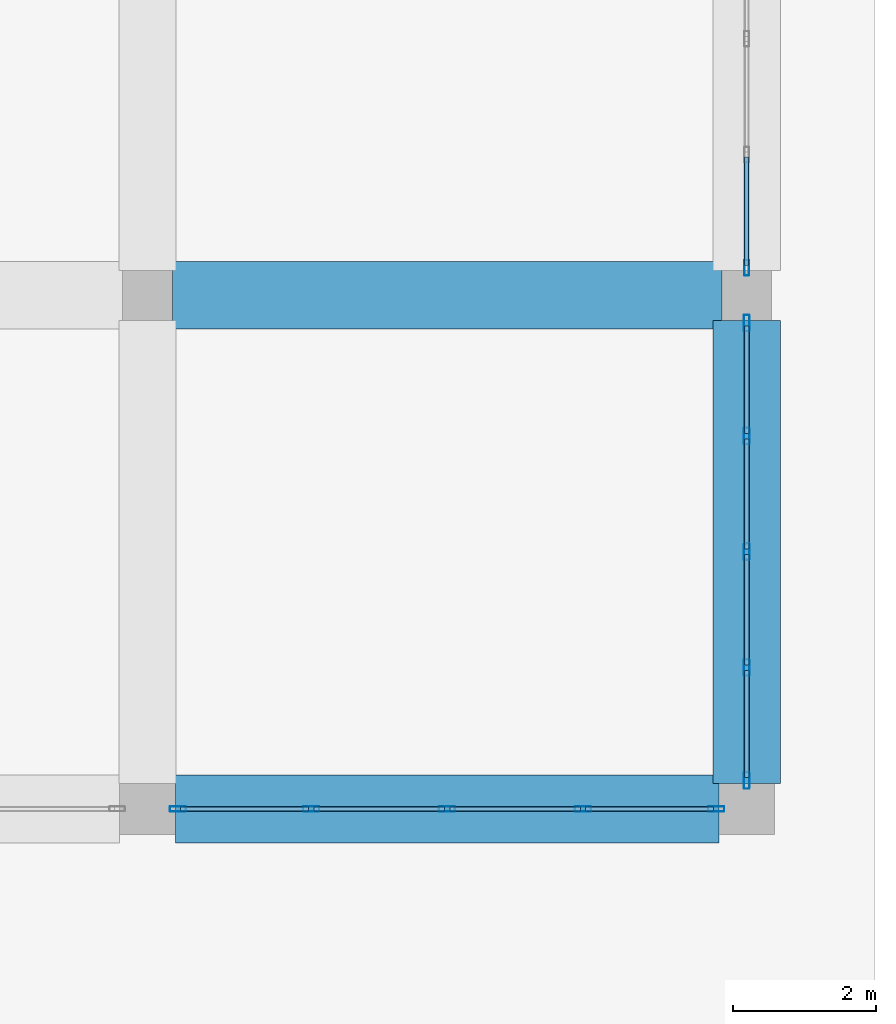
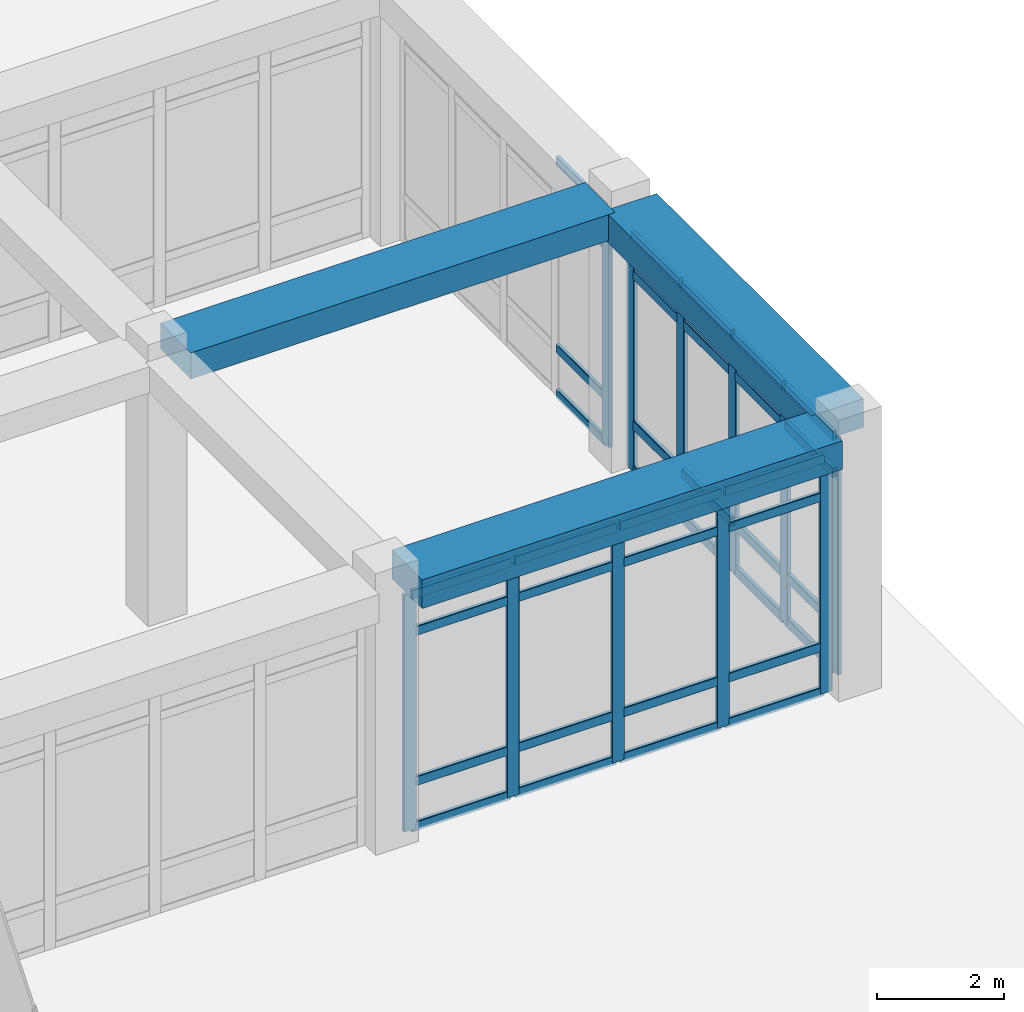
# One storey, part 49 of 84: 47 members, 3 beams, 3 elements without a shape of their own.
"""IFC4 building model written with IfcOpenShell, lengths in metres."""

import ifcopenshell
import ifcopenshell.guid

model = None  # the IFC model being written
_history = None  # IfcOwnerHistory: only IFC2X3 demands one
_inside = {}  # id of a spatial element -> (the spatial element, [elements in it])
_under = {}  # id of a project, library or spatial element -> (it, [spatial elements below it])
_declared = {}  # id of a project -> (the project, [libraries it declares])
_typed = {}  # id of a type object -> (the type object, [elements of that type])
_made_of = {}  # id of a material, layer set ... -> (it, [elements and type objects made of it])


def new_model(schema):
    """Start an empty IFC model of exactly this schema.

    Asked for "IFC4X3", IfcOpenShell would pick the latest addendum, in which some entities
    have other attributes; the version numbers below select the first issue.
    IFC2X3 requires an IfcOwnerHistory on every rooted entity: one is made here for all.
    """
    global model, _history
    if schema == "IFC4X3":
        model = ifcopenshell.file(schema_version=(4, 3, 0, 0))
    else:
        model = ifcopenshell.file(schema=schema)
    _inside.clear()
    _under.clear()
    _declared.clear()
    _typed.clear()
    _made_of.clear()
    _history = None
    if model.schema == "IFC2X3":
        org = make("IfcOrganization", Name="unknown")
        user = make(
            "IfcPersonAndOrganization",
            ThePerson=make("IfcPerson", FamilyName="unknown"),
            TheOrganization=org,
        )
        app = make(
            "IfcApplication",
            ApplicationDeveloper=org,
            Version="unknown",
            ApplicationFullName="unknown",
            ApplicationIdentifier="unknown",
        )
        _history = make(
            "IfcOwnerHistory",
            OwningUser=user,
            OwningApplication=app,
            ChangeAction="ADDED",
            CreationDate=0,
        )
    return model


def make(cls, **values):
    """One entity of the class cls with the attributes given. An attribute that is None is left unset."""
    return model.create_entity(
        cls, **{name: value for name, value in values.items() if value is not None}
    )


def rooted(cls, **values):
    """An entity with a GlobalId (a new one), such as an element, a storey or a relation."""
    return make(cls, GlobalId=ifcopenshell.guid.new(), OwnerHistory=_history, **values)


def si_unit(unit_type, name, prefix=None):
    """IfcSIUnit, for example si_unit("LENGTHUNIT", "METRE", prefix="MILLI")."""
    return make("IfcSIUnit", UnitType=unit_type, Prefix=prefix, Name=name)


def derived_unit(unit_type, elements):
    """IfcDerivedUnit: a product of units, each with its exponent."""
    return make(
        "IfcDerivedUnit",
        Elements=[
            make("IfcDerivedUnitElement", Unit=unit, Exponent=power)
            for unit, power in elements
        ],
        UnitType=unit_type,
    )


def assignment(units):
    """IfcUnitAssignment: the units of a project."""
    return None if units is None else make("IfcUnitAssignment", Units=units)


def point(xyz):
    """IfcCartesianPoint."""
    return None if xyz is None else make("IfcCartesianPoint", Coordinates=xyz)


def direction(xyz):
    """IfcDirection."""
    return None if xyz is None else make("IfcDirection", DirectionRatios=xyz)


def frame(location, z_axis=None, x_axis=None):
    """IfcAxis2Placement3D, a coordinate frame: its origin and axes. An axis left out is left unset."""
    return make(
        "IfcAxis2Placement3D",
        Location=point(location),
        Axis=direction(z_axis),
        RefDirection=direction(x_axis),
    )


def frame_2d(location, x_axis=None):
    """IfcAxis2Placement2D, a coordinate frame in the plane: its origin and x axis."""
    return make(
        "IfcAxis2Placement2D", Location=point(location), RefDirection=direction(x_axis)
    )


def origin():
    """The frame at (0, 0, 0) with its axes left unset."""
    return frame((0.0, 0.0, 0.0))


def origin_2d():
    """The frame at (0, 0) in the plane with its x axis left unset."""
    return frame_2d((0.0, 0.0))


def place(relative_to, where):
    """IfcLocalPlacement: puts the frame where relative to a parent placement (None: the world)."""
    return make(
        "IfcLocalPlacement", PlacementRelTo=relative_to, RelativePlacement=where
    )


def context(
    kind, dimensions, precision=None, world=None, true_north=None, identifier=None
):
    """IfcGeometricRepresentationContext, for example the 3D "Model" context."""
    return make(
        "IfcGeometricRepresentationContext",
        ContextIdentifier=identifier,
        ContextType=kind,
        CoordinateSpaceDimension=dimensions,
        Precision=precision,
        WorldCoordinateSystem=world,
        TrueNorth=true_north,
    )


def subcontext(parent, identifier, kind, view, scale=None):
    """IfcGeometricRepresentationSubContext, for example "Body" below "Model"."""
    return make(
        "IfcGeometricRepresentationSubContext",
        ContextIdentifier=identifier,
        ContextType=kind,
        ParentContext=parent,
        TargetScale=scale,
        TargetView=view,
    )


def project(units=None, contexts=None):
    """IfcProject with its units and contexts."""
    return rooted(
        "IfcProject",
        Name="project",
        RepresentationContexts=contexts,
        UnitsInContext=assignment(units),
    )


def spatial(cls, under=None, at=None, **own):
    """A site, building, storey or space (cls), placed at a placement, below another one or the project."""
    s = rooted(cls, ObjectPlacement=at, **own)
    if under is not None:
        _under.setdefault(under.id(), (under, []))[1].append(s)
    return s


def profile(cls, at=None, kind="AREA", **sizes):
    """A parametric profile (cls). Its sizes go by their IFC names, for example OverallWidth=200.0."""
    return make(cls, ProfileType=kind, Position=at, **sizes)


def rectangle(**sizes):
    """IfcRectangleProfileDef."""
    return profile("IfcRectangleProfileDef", **sizes)


def hollow_rectangle(**sizes):
    """IfcRectangleHollowProfileDef."""
    return profile("IfcRectangleHollowProfileDef", **sizes)


def extrude(swept, where, along, depth):
    """IfcExtrudedAreaSolid: the profile swept, set in the frame where, extruded along a direction by depth."""
    return make(
        "IfcExtrudedAreaSolid",
        SweptArea=swept,
        Position=where,
        ExtrudedDirection=direction(along),
        Depth=depth,
    )


def shape(context_of_items, identifier, shape_type, items):
    """IfcShapeRepresentation: the items that make up one representation, for example the "Body"."""
    return make(
        "IfcShapeRepresentation",
        ContextOfItems=context_of_items,
        RepresentationIdentifier=identifier,
        RepresentationType=shape_type,
        Items=items,
    )


def material(Name=None, Category=None):
    """IfcMaterial."""
    return make("IfcMaterial", Name=Name, Category=Category)


def material_profile(
    of_material, cross_section, Name=None, Category=None, Priority=None
):
    """IfcMaterialProfile: a cross section and its material."""
    return make(
        "IfcMaterialProfile",
        Name=Name,
        Material=of_material,
        Profile=cross_section,
        Priority=Priority,
        Category=Category,
    )


def profile_set(profiles, Name=None, composite=None):
    """IfcMaterialProfileSet."""
    return make(
        "IfcMaterialProfileSet",
        Name=Name,
        MaterialProfiles=profiles,
        CompositeProfile=composite,
    )


def made_of(thing, what):
    """Note that an element or type object is made of a material, layer set ...; save() writes the relation."""
    if what is not None:
        _made_of.setdefault(what.id(), (what, []))[1].append(thing)
    return thing


def type_object(cls, material=None, **own):
    """A type object (cls), such as IfcWallType, which elements share."""
    return made_of(rooted(cls, **own), material)


def element(
    cls,
    number,
    at=None,
    inside=None,
    cuts=None,
    type_object=None,
    material=None,
    context=None,
    identifier="Body",
    shape_type=None,
    held_by="IfcProductDefinitionShape",
    body=None,
    shapes=None,
    **own,
):
    """One element of the class cls, such as IfcWall. Its Tag is "e" and its number.

    at: its placement. inside: the storey or other place that contains it. cuts: it is an
    opening in that element (IfcRelVoidsElement). A single representation is given by context,
    identifier, shape_type and body (its items); several are given by shapes. held_by: the class
    of the entity that holds the representations. save() writes the other relations.
    """
    e = rooted(cls, Tag="e%d" % number, ObjectPlacement=at, **own)
    if body is not None:
        shapes = [shape(context, identifier, shape_type, body)]
    if shapes is not None:
        e.Representation = make(held_by, Representations=shapes)
    if inside is not None:
        _inside.setdefault(inside.id(), (inside, []))[1].append(e)
    if cuts is not None:
        rooted(
            "IfcRelVoidsElement", RelatingBuildingElement=cuts, RelatedOpeningElement=e
        )
    if type_object is not None:
        _typed.setdefault(type_object.id(), (type_object, []))[1].append(e)
    return made_of(e, material)


def aggregate(whole, parts):
    """IfcRelAggregates: a whole, such as a stair, and the parts it consists of."""
    return rooted("IfcRelAggregates", RelatingObject=whole, RelatedObjects=parts)


def save(model, path):
    """Write the relations noted so far, then the file.

    IfcRelAggregates (storeys below a building ...), IfcRelContainedInSpatialStructure (elements
    in a storey), IfcRelDefinesByType, IfcRelAssociatesMaterial and IfcRelDeclares: one each for
    every whole, place, type object, material and project.
    """
    for whole, parts in _under.values():
        aggregate(whole, parts)
    for where, things in _inside.values():
        rooted(
            "IfcRelContainedInSpatialStructure",
            RelatedElements=things,
            RelatingStructure=where,
        )
    for kind, things in _typed.values():
        rooted("IfcRelDefinesByType", RelatedObjects=things, RelatingType=kind)
    for what, things in _made_of.values():
        rooted("IfcRelAssociatesMaterial", RelatedObjects=things, RelatingMaterial=what)
    for by, libraries in _declared.values():
        rooted("IfcRelDeclares", RelatingContext=by, RelatedDefinitions=libraries)
    model.write(path)


model = new_model("IFC4")

# Units and contexts
model_context = context("Model", 3, precision=1e-05, world=origin(), true_north=direction((0.0, 1.0)))
body_context = subcontext(model_context, "Body", "Model", "MODEL_VIEW")
ifc_project = project(units=[si_unit("LENGTHUNIT", "METRE"), si_unit("AREAUNIT", "SQUARE_METRE"), si_unit("VOLUMEUNIT", "CUBIC_METRE"), si_unit("PLANEANGLEUNIT", "RADIAN"), si_unit("MASSUNIT", "GRAM", prefix="KILO"), derived_unit("THERMALTRANSMITTANCEUNIT", [(si_unit("POWERUNIT", "WATT"), 1), (si_unit("LENGTHUNIT", "METRE"), -2), (si_unit("THERMODYNAMICTEMPERATUREUNIT", "KELVIN"), -1)])], contexts=[model_context])

# Site, building, storey
site_placement = place(None, origin())
site = spatial("IfcSite", under=ifc_project, at=site_placement, CompositionType="ELEMENT")
building_placement = place(site_placement, origin())
building = spatial("IfcBuilding", under=site, at=building_placement, Name="Veybourne Emporium", CompositionType="ELEMENT")
storey_placement = place(building_placement, origin())
storey = spatial("IfcBuildingStorey", under=building, at=storey_placement, Name="L00", CompositionType="ELEMENT", Elevation=0.0)

# Curtain wall, members
ifc_material_1 = material(Name="Patinated Architectural Bronze", Category="bronze")
curtain_wall_type_1 = type_object("IfcCurtainWallType", Name="CWSystem_CWS-22", PredefinedType="NOTDEFINED", material=ifc_material_1)
curtain_wall_1_placement = place(storey_placement, origin())
curtain_wall_1 = element("IfcCurtainWall", 1, at=curtain_wall_1_placement, inside=storey, type_object=curtain_wall_type_1, Name="L00 bronze glazed curtain wall CWS-22 (075)", PredefinedType="NOTDEFINED")
ifc_material_profile_1 = material_profile(ifc_material_1, hollow_rectangle(XDim=0.074951171875, YDim=0.22998046875, WallThickness=0.0048828125, InnerFilletRadius=0.007568359375, OuterFilletRadius=0.012451171875, at=origin_2d()), Name="CWM 75x230x5")
ifc_profile_set_1 = profile_set([ifc_material_profile_1], Name="Patinated Architectural Bronze")
member_type_1 = type_object("IfcMemberType", Name="CWMullion_CW-M2", PredefinedType="MULLION", material=ifc_profile_set_1)
member_1_placement = place(storey_placement, frame((167.572509765625, 7.199951171875, 0.0), z_axis=(0.0, 0.0, 1.0), x_axis=(0.0, -1.0, 0.0)))
member_1 = element("IfcMember", 2, at=member_1_placement, type_object=member_type_1, Name="CWS-22 mullion 1", PredefinedType="MULLION", context=body_context, shape_type="SweptSolid", body=[
    extrude(hollow_rectangle(XDim=0.074951171875, YDim=0.22998046875, WallThickness=0.0048828125, InnerFilletRadius=0.007568359375, OuterFilletRadius=0.012451171875, at=origin_2d()), origin(), (0.0, 0.0, 1.0), 4.530029296875),
])
member_2_placement = place(storey_placement, frame((165.705078125, 7.199951171875, 0.0), z_axis=(0.0, 0.0, 1.0), x_axis=(0.0, -1.0, 0.0)))
member_2 = element("IfcMember", 3, at=member_2_placement, type_object=member_type_1, Name="CWS-22 mullion 2", PredefinedType="MULLION", context=body_context, shape_type="SweptSolid", body=[
    extrude(hollow_rectangle(XDim=0.074951171875, YDim=0.22998046875, WallThickness=0.0048828125, InnerFilletRadius=0.007568359375, OuterFilletRadius=0.012451171875, at=origin_2d()), origin(), (0.0, 0.0, 1.0), 4.530029296875),
])
member_3_placement = place(storey_placement, frame((163.800048828125, 7.199951171875, 0.0), z_axis=(0.0, 0.0, 1.0), x_axis=(0.0, -1.0, 0.0)))
member_3 = element("IfcMember", 4, at=member_3_placement, type_object=member_type_1, Name="CWS-22 mullion 3", PredefinedType="MULLION", context=body_context, shape_type="SweptSolid", body=[
    extrude(hollow_rectangle(XDim=0.074951171875, YDim=0.22998046875, WallThickness=0.0048828125, InnerFilletRadius=0.007568359375, OuterFilletRadius=0.012451171875, at=origin_2d()), origin(), (0.0, 0.0, 1.0), 4.530029296875),
])
member_4_placement = place(storey_placement, frame((161.89501953125, 7.199951171875, 0.0), z_axis=(0.0, 0.0, 1.0), x_axis=(0.0, -1.0, 0.0)))
member_4 = element("IfcMember", 5, at=member_4_placement, type_object=member_type_1, Name="CWS-22 mullion 4", PredefinedType="MULLION", context=body_context, shape_type="SweptSolid", body=[
    extrude(hollow_rectangle(XDim=0.074951171875, YDim=0.22998046875, WallThickness=0.0048828125, InnerFilletRadius=0.007568359375, OuterFilletRadius=0.012451171875, at=origin_2d()), origin(), (0.0, 0.0, 1.0), 4.530029296875),
])
member_5_placement = place(storey_placement, frame((160.027587890625, 7.199951171875, 0.0), z_axis=(0.0, 0.0, 1.0), x_axis=(0.0, -1.0, 0.0)))
member_5 = element("IfcMember", 6, at=member_5_placement, type_object=member_type_1, Name="CWS-22 mullion 5", PredefinedType="MULLION", context=body_context, shape_type="SweptSolid", body=[
    extrude(hollow_rectangle(XDim=0.074951171875, YDim=0.22998046875, WallThickness=0.0048828125, InnerFilletRadius=0.007568359375, OuterFilletRadius=0.012451171875, at=origin_2d()), origin(), (0.0, 0.0, 1.0), 4.530029296875),
])

curtain_wall_type_2 = type_object("IfcCurtainWallType", Name="CWSystem_CWS-23", PredefinedType="NOTDEFINED", material=ifc_material_1)
curtain_wall_2_placement = place(storey_placement, origin())
curtain_wall_2 = element("IfcCurtainWall", 7, at=curtain_wall_2_placement, inside=storey, type_object=curtain_wall_type_2, Name="L00 bronze glazed curtain wall CWS-23 (076)", PredefinedType="NOTDEFINED")
ifc_material_profile_2 = material_profile(ifc_material_1, hollow_rectangle(XDim=0.077880859375, YDim=0.235107421875, WallThickness=0.0048828125, InnerFilletRadius=0.007568359375, OuterFilletRadius=0.012451171875, at=origin_2d()), Name="CWM 78x235x5")
ifc_profile_set_2 = profile_set([ifc_material_profile_2], Name="Patinated Architectural Bronze")
member_type_2 = type_object("IfcMemberType", Name="CWMullion_CW-M3", PredefinedType="MULLION", material=ifc_profile_set_2)
member_6_placement = place(storey_placement, frame((168.0, 14.010986328125, 0.0), z_axis=(0.0, 0.0, 1.0), x_axis=(1.0, 0.0, 0.0)))
member_6 = element("IfcMember", 8, at=member_6_placement, type_object=member_type_2, Name="CWS-23 mullion 1", PredefinedType="MULLION", context=body_context, shape_type="SweptSolid", body=[
    extrude(hollow_rectangle(XDim=0.077880859375, YDim=0.235107421875, WallThickness=0.0048828125, InnerFilletRadius=0.007568359375, OuterFilletRadius=0.012451171875, at=origin_2d()), origin(), (0.0, 0.0, 1.0), 4.530029296875),
])
member_7_placement = place(storey_placement, frame((168.0, 12.427490234375, 0.0), z_axis=(0.0, 0.0, 1.0), x_axis=(1.0, 0.0, 0.0)))
member_7 = element("IfcMember", 9, at=member_7_placement, type_object=member_type_2, Name="CWS-23 mullion 2", PredefinedType="MULLION", context=body_context, shape_type="SweptSolid", body=[
    extrude(hollow_rectangle(XDim=0.077880859375, YDim=0.235107421875, WallThickness=0.0048828125, InnerFilletRadius=0.007568359375, OuterFilletRadius=0.012451171875, at=origin_2d()), origin(), (0.0, 0.0, 1.0), 4.530029296875),
])
member_8_placement = place(storey_placement, frame((168.0, 10.804931640625, 0.0), z_axis=(0.0, 0.0, 1.0), x_axis=(1.0, 0.0, 0.0)))
member_8 = element("IfcMember", 10, at=member_8_placement, type_object=member_type_2, Name="CWS-23 mullion 3", PredefinedType="MULLION", context=body_context, shape_type="SweptSolid", body=[
    extrude(hollow_rectangle(XDim=0.077880859375, YDim=0.235107421875, WallThickness=0.0048828125, InnerFilletRadius=0.007568359375, OuterFilletRadius=0.012451171875, at=origin_2d()), origin(), (0.0, 0.0, 1.0), 4.530029296875),
])
member_9_placement = place(storey_placement, frame((168.0, 9.1826171875, 0.0), z_axis=(0.0, 0.0, 1.0), x_axis=(1.0, 0.0, 0.0)))
member_9 = element("IfcMember", 11, at=member_9_placement, type_object=member_type_2, Name="CWS-23 mullion 4", PredefinedType="MULLION", context=body_context, shape_type="SweptSolid", body=[
    extrude(hollow_rectangle(XDim=0.077880859375, YDim=0.235107421875, WallThickness=0.0048828125, InnerFilletRadius=0.007568359375, OuterFilletRadius=0.012451171875, at=origin_2d()), origin(), (0.0, 0.0, 1.0), 4.530029296875),
])
member_10_placement = place(storey_placement, frame((168.0, 7.59912109375, 0.0), z_axis=(0.0, 0.0, 1.0), x_axis=(1.0, 0.0, 0.0)))
member_10 = element("IfcMember", 12, at=member_10_placement, type_object=member_type_2, Name="CWS-23 mullion 5", PredefinedType="MULLION", context=body_context, shape_type="SweptSolid", body=[
    extrude(hollow_rectangle(XDim=0.077880859375, YDim=0.235107421875, WallThickness=0.0048828125, InnerFilletRadius=0.007568359375, OuterFilletRadius=0.012451171875, at=origin_2d()), origin(), (0.0, 0.0, 1.0), 4.530029296875),
])

# Curtain wall, member
curtain_wall_type_3 = type_object("IfcCurtainWallType", Name="CWSystem_CWS-24", PredefinedType="NOTDEFINED", material=ifc_material_1)
curtain_wall_3_placement = place(storey_placement, origin())
curtain_wall_3 = element("IfcCurtainWall", 13, at=curtain_wall_3_placement, inside=storey, type_object=curtain_wall_type_3, Name="L00 bronze glazed curtain wall CWS-24 (077)", PredefinedType="NOTDEFINED")
ifc_material_profile_3 = material_profile(ifc_material_1, hollow_rectangle(XDim=0.070068359375, YDim=0.219970703125, WallThickness=0.0048828125, InnerFilletRadius=0.007568359375, OuterFilletRadius=0.012451171875, at=origin_2d()), Name="CWM 70x220x5")
ifc_profile_set_3 = profile_set([ifc_material_profile_3], Name="Patinated Architectural Bronze")
member_type_3 = type_object("IfcMemberType", Name="CWMullion_CW-M4", PredefinedType="MULLION", material=ifc_profile_set_3)
member_11_placement = place(storey_placement, frame((168.0, 14.784912109375, 0.0), z_axis=(0.0, 0.0, 1.0), x_axis=(1.0, 0.0, 0.0)))
member_11 = element("IfcMember", 14, at=member_11_placement, type_object=member_type_3, Name="CWS-24 mullion 5", PredefinedType="MULLION", context=body_context, shape_type="SweptSolid", body=[
    extrude(hollow_rectangle(XDim=0.070068359375, YDim=0.219970703125, WallThickness=0.0048828125, InnerFilletRadius=0.007568359375, OuterFilletRadius=0.012451171875, at=origin_2d()), origin(), (0.0, 0.0, 1.0), 4.530029296875),
])

# Member
ifc_material_profile_4 = material_profile(ifc_material_1, hollow_rectangle(XDim=0.074951171875, YDim=0.179931640625, WallThickness=0.0048828125, InnerFilletRadius=0.007568359375, OuterFilletRadius=0.012451171875, at=origin_2d()), Name="CWT 75x180x5")
ifc_profile_set_4 = profile_set([ifc_material_profile_4], Name="Patinated Architectural Bronze")
member_type_4 = type_object("IfcMemberType", Name="CWTransom_CW-T2", PredefinedType="NOTDEFINED", material=ifc_profile_set_4)
member_12_placement = place(storey_placement, frame((167.534912109375, 7.199951171875, 0.03759765625), z_axis=(-1.0, 0.0, 0.0), x_axis=(0.0, -1.0, 0.0)))
member_12 = element("IfcMember", 15, at=member_12_placement, type_object=member_type_4, Name="CWS-22 transom 1.1", ObjectType="TRANSOM", PredefinedType="USERDEFINED", context=body_context, shape_type="SweptSolid", body=[
    extrude(hollow_rectangle(XDim=0.074951171875, YDim=0.179931640625, WallThickness=0.0048828125, InnerFilletRadius=0.007568359375, OuterFilletRadius=0.012451171875, at=origin_2d()), origin(), (0.0, 0.0, 1.0), 1.79248046875),
])

member_13_placement = place(storey_placement, frame((167.534912109375, 7.199951171875, 0.89990234375), z_axis=(-1.0, 0.0, 0.0), x_axis=(0.0, -1.0, 0.0)))
member_13 = element("IfcMember", 16, at=member_13_placement, type_object=member_type_4, Name="CWS-22 transom 1.2", ObjectType="TRANSOM", PredefinedType="USERDEFINED", context=body_context, shape_type="SweptSolid", body=[
    extrude(hollow_rectangle(XDim=0.074951171875, YDim=0.179931640625, WallThickness=0.0048828125, InnerFilletRadius=0.007568359375, OuterFilletRadius=0.012451171875, at=origin_2d()), origin(), (0.0, 0.0, 1.0), 1.79248046875),
])

member_14_placement = place(storey_placement, frame((167.534912109375, 7.199951171875, 3.780029296875), z_axis=(-1.0, 0.0, 0.0), x_axis=(0.0, -1.0, 0.0)))
member_14 = element("IfcMember", 17, at=member_14_placement, type_object=member_type_4, Name="CWS-22 transom 1.3", ObjectType="TRANSOM", PredefinedType="USERDEFINED", context=body_context, shape_type="SweptSolid", body=[
    extrude(hollow_rectangle(XDim=0.074951171875, YDim=0.179931640625, WallThickness=0.0048828125, InnerFilletRadius=0.007568359375, OuterFilletRadius=0.012451171875, at=origin_2d()), origin(), (0.0, 0.0, 1.0), 1.79248046875),
])

member_15_placement = place(storey_placement, frame((167.534912109375, 7.199951171875, 4.492431640625), z_axis=(-1.0, 0.0, 0.0), x_axis=(0.0, -1.0, 0.0)))
member_15 = element("IfcMember", 18, at=member_15_placement, type_object=member_type_4, Name="CWS-22 transom 1.4", ObjectType="TRANSOM", PredefinedType="USERDEFINED", context=body_context, shape_type="SweptSolid", body=[
    extrude(hollow_rectangle(XDim=0.074951171875, YDim=0.179931640625, WallThickness=0.0048828125, InnerFilletRadius=0.007568359375, OuterFilletRadius=0.012451171875, at=origin_2d()), origin(), (0.0, 0.0, 1.0), 1.79248046875),
])

member_16_placement = place(storey_placement, frame((165.66748046875, 7.199951171875, 0.03759765625), z_axis=(-1.0, 0.0, 0.0), x_axis=(0.0, -1.0, 0.0)))
member_16 = element("IfcMember", 19, at=member_16_placement, type_object=member_type_4, Name="CWS-22 transom 2.1", ObjectType="TRANSOM", PredefinedType="USERDEFINED", context=body_context, shape_type="SweptSolid", body=[
    extrude(hollow_rectangle(XDim=0.074951171875, YDim=0.179931640625, WallThickness=0.0048828125, InnerFilletRadius=0.007568359375, OuterFilletRadius=0.012451171875, at=origin_2d()), origin(), (0.0, 0.0, 1.0), 1.830078125),
])

member_17_placement = place(storey_placement, frame((165.66748046875, 7.199951171875, 0.89990234375), z_axis=(-1.0, 0.0, 0.0), x_axis=(0.0, -1.0, 0.0)))
member_17 = element("IfcMember", 20, at=member_17_placement, type_object=member_type_4, Name="CWS-22 transom 2.2", ObjectType="TRANSOM", PredefinedType="USERDEFINED", context=body_context, shape_type="SweptSolid", body=[
    extrude(hollow_rectangle(XDim=0.074951171875, YDim=0.179931640625, WallThickness=0.0048828125, InnerFilletRadius=0.007568359375, OuterFilletRadius=0.012451171875, at=origin_2d()), origin(), (0.0, 0.0, 1.0), 1.830078125),
])

member_18_placement = place(storey_placement, frame((165.66748046875, 7.199951171875, 3.780029296875), z_axis=(-1.0, 0.0, 0.0), x_axis=(0.0, -1.0, 0.0)))
member_18 = element("IfcMember", 21, at=member_18_placement, type_object=member_type_4, Name="CWS-22 transom 2.3", ObjectType="TRANSOM", PredefinedType="USERDEFINED", context=body_context, shape_type="SweptSolid", body=[
    extrude(hollow_rectangle(XDim=0.074951171875, YDim=0.179931640625, WallThickness=0.0048828125, InnerFilletRadius=0.007568359375, OuterFilletRadius=0.012451171875, at=origin_2d()), origin(), (0.0, 0.0, 1.0), 1.830078125),
])

member_19_placement = place(storey_placement, frame((165.66748046875, 7.199951171875, 4.492431640625), z_axis=(-1.0, 0.0, 0.0), x_axis=(0.0, -1.0, 0.0)))
member_19 = element("IfcMember", 22, at=member_19_placement, type_object=member_type_4, Name="CWS-22 transom 2.4", ObjectType="TRANSOM", PredefinedType="USERDEFINED", context=body_context, shape_type="SweptSolid", body=[
    extrude(hollow_rectangle(XDim=0.074951171875, YDim=0.179931640625, WallThickness=0.0048828125, InnerFilletRadius=0.007568359375, OuterFilletRadius=0.012451171875, at=origin_2d()), origin(), (0.0, 0.0, 1.0), 1.830078125),
])

member_20_placement = place(storey_placement, frame((163.762451171875, 7.199951171875, 0.03759765625), z_axis=(-1.0, 0.0, 0.0), x_axis=(0.0, -1.0, 0.0)))
member_20 = element("IfcMember", 23, at=member_20_placement, type_object=member_type_4, Name="CWS-22 transom 3.1", ObjectType="TRANSOM", PredefinedType="USERDEFINED", context=body_context, shape_type="SweptSolid", body=[
    extrude(hollow_rectangle(XDim=0.074951171875, YDim=0.179931640625, WallThickness=0.0048828125, InnerFilletRadius=0.007568359375, OuterFilletRadius=0.012451171875, at=origin_2d()), origin(), (0.0, 0.0, 1.0), 1.829833984375),
])

member_21_placement = place(storey_placement, frame((163.762451171875, 7.199951171875, 0.89990234375), z_axis=(-1.0, 0.0, 0.0), x_axis=(0.0, -1.0, 0.0)))
member_21 = element("IfcMember", 24, at=member_21_placement, type_object=member_type_4, Name="CWS-22 transom 3.2", ObjectType="TRANSOM", PredefinedType="USERDEFINED", context=body_context, shape_type="SweptSolid", body=[
    extrude(hollow_rectangle(XDim=0.074951171875, YDim=0.179931640625, WallThickness=0.0048828125, InnerFilletRadius=0.007568359375, OuterFilletRadius=0.012451171875, at=origin_2d()), origin(), (0.0, 0.0, 1.0), 1.829833984375),
])

member_22_placement = place(storey_placement, frame((163.762451171875, 7.199951171875, 3.780029296875), z_axis=(-1.0, 0.0, 0.0), x_axis=(0.0, -1.0, 0.0)))
member_22 = element("IfcMember", 25, at=member_22_placement, type_object=member_type_4, Name="CWS-22 transom 3.3", ObjectType="TRANSOM", PredefinedType="USERDEFINED", context=body_context, shape_type="SweptSolid", body=[
    extrude(hollow_rectangle(XDim=0.074951171875, YDim=0.179931640625, WallThickness=0.0048828125, InnerFilletRadius=0.007568359375, OuterFilletRadius=0.012451171875, at=origin_2d()), origin(), (0.0, 0.0, 1.0), 1.829833984375),
])

member_23_placement = place(storey_placement, frame((163.762451171875, 7.199951171875, 4.492431640625), z_axis=(-1.0, 0.0, 0.0), x_axis=(0.0, -1.0, 0.0)))
member_23 = element("IfcMember", 26, at=member_23_placement, type_object=member_type_4, Name="CWS-22 transom 3.4", ObjectType="TRANSOM", PredefinedType="USERDEFINED", context=body_context, shape_type="SweptSolid", body=[
    extrude(hollow_rectangle(XDim=0.074951171875, YDim=0.179931640625, WallThickness=0.0048828125, InnerFilletRadius=0.007568359375, OuterFilletRadius=0.012451171875, at=origin_2d()), origin(), (0.0, 0.0, 1.0), 1.829833984375),
])

member_24_placement = place(storey_placement, frame((161.857421875, 7.199951171875, 0.03759765625), z_axis=(-1.0, 0.0, 0.0), x_axis=(0.0, -1.0, 0.0)))
member_24 = element("IfcMember", 27, at=member_24_placement, type_object=member_type_4, Name="CWS-22 transom 4.1", ObjectType="TRANSOM", PredefinedType="USERDEFINED", context=body_context, shape_type="SweptSolid", body=[
    extrude(hollow_rectangle(XDim=0.074951171875, YDim=0.179931640625, WallThickness=0.0048828125, InnerFilletRadius=0.007568359375, OuterFilletRadius=0.012451171875, at=origin_2d()), origin(), (0.0, 0.0, 1.0), 1.79248046875),
])

member_25_placement = place(storey_placement, frame((161.857421875, 7.199951171875, 0.89990234375), z_axis=(-1.0, 0.0, 0.0), x_axis=(0.0, -1.0, 0.0)))
member_25 = element("IfcMember", 28, at=member_25_placement, type_object=member_type_4, Name="CWS-22 transom 4.2", ObjectType="TRANSOM", PredefinedType="USERDEFINED", context=body_context, shape_type="SweptSolid", body=[
    extrude(hollow_rectangle(XDim=0.074951171875, YDim=0.179931640625, WallThickness=0.0048828125, InnerFilletRadius=0.007568359375, OuterFilletRadius=0.012451171875, at=origin_2d()), origin(), (0.0, 0.0, 1.0), 1.79248046875),
])

member_26_placement = place(storey_placement, frame((161.857421875, 7.199951171875, 3.780029296875), z_axis=(-1.0, 0.0, 0.0), x_axis=(0.0, -1.0, 0.0)))
member_26 = element("IfcMember", 29, at=member_26_placement, type_object=member_type_4, Name="CWS-22 transom 4.3", ObjectType="TRANSOM", PredefinedType="USERDEFINED", context=body_context, shape_type="SweptSolid", body=[
    extrude(hollow_rectangle(XDim=0.074951171875, YDim=0.179931640625, WallThickness=0.0048828125, InnerFilletRadius=0.007568359375, OuterFilletRadius=0.012451171875, at=origin_2d()), origin(), (0.0, 0.0, 1.0), 1.79248046875),
])

member_27_placement = place(storey_placement, frame((161.857421875, 7.199951171875, 4.492431640625), z_axis=(-1.0, 0.0, 0.0), x_axis=(0.0, -1.0, 0.0)))
member_27 = element("IfcMember", 30, at=member_27_placement, type_object=member_type_4, Name="CWS-22 transom 4.4", ObjectType="TRANSOM", PredefinedType="USERDEFINED", context=body_context, shape_type="SweptSolid", body=[
    extrude(hollow_rectangle(XDim=0.074951171875, YDim=0.179931640625, WallThickness=0.0048828125, InnerFilletRadius=0.007568359375, OuterFilletRadius=0.012451171875, at=origin_2d()), origin(), (0.0, 0.0, 1.0), 1.79248046875),
])

aggregate(curtain_wall_1, [member_1, member_2, member_3, member_4, member_5, member_12, member_13, member_14, member_15, member_16, member_17, member_18, member_19, member_20, member_21, member_22, member_23, member_24, member_25, member_26, member_27])

ifc_material_profile_5 = material_profile(ifc_material_1, hollow_rectangle(XDim=0.077880859375, YDim=0.18505859375, WallThickness=0.0048828125, InnerFilletRadius=0.007568359375, OuterFilletRadius=0.012451171875, at=origin_2d()), Name="CWT 78x185x5")
ifc_profile_set_5 = profile_set([ifc_material_profile_5], Name="Patinated Architectural Bronze")
member_type_5 = type_object("IfcMemberType", Name="CWTransom_CW-T3", PredefinedType="NOTDEFINED", material=ifc_profile_set_5)
member_28_placement = place(storey_placement, frame((168.0, 13.971923828125, 0.0390625), z_axis=(0.0, -1.0, 0.0), x_axis=(1.0, 0.0, 0.0)))
member_28 = element("IfcMember", 31, at=member_28_placement, type_object=member_type_5, Name="CWS-23 transom 1.1", ObjectType="TRANSOM", PredefinedType="USERDEFINED", context=body_context, shape_type="SweptSolid", body=[
    extrude(hollow_rectangle(XDim=0.077880859375, YDim=0.18505859375, WallThickness=0.0048828125, InnerFilletRadius=0.007568359375, OuterFilletRadius=0.012451171875, at=origin_2d()), origin(), (0.0, 0.0, 1.0), 1.50537109375),
])

member_29_placement = place(storey_placement, frame((168.0, 13.971923828125, 0.89990234375), z_axis=(0.0, -1.0, 0.0), x_axis=(1.0, 0.0, 0.0)))
member_29 = element("IfcMember", 32, at=member_29_placement, type_object=member_type_5, Name="CWS-23 transom 1.2", ObjectType="TRANSOM", PredefinedType="USERDEFINED", context=body_context, shape_type="SweptSolid", body=[
    extrude(hollow_rectangle(XDim=0.077880859375, YDim=0.18505859375, WallThickness=0.0048828125, InnerFilletRadius=0.007568359375, OuterFilletRadius=0.012451171875, at=origin_2d()), origin(), (0.0, 0.0, 1.0), 1.50537109375),
])

member_30_placement = place(storey_placement, frame((168.0, 13.971923828125, 3.780029296875), z_axis=(0.0, -1.0, 0.0), x_axis=(1.0, 0.0, 0.0)))
member_30 = element("IfcMember", 33, at=member_30_placement, type_object=member_type_5, Name="CWS-23 transom 1.3", ObjectType="TRANSOM", PredefinedType="USERDEFINED", context=body_context, shape_type="SweptSolid", body=[
    extrude(hollow_rectangle(XDim=0.077880859375, YDim=0.18505859375, WallThickness=0.0048828125, InnerFilletRadius=0.007568359375, OuterFilletRadius=0.012451171875, at=origin_2d()), origin(), (0.0, 0.0, 1.0), 1.50537109375),
])

member_31_placement = place(storey_placement, frame((168.0, 13.971923828125, 4.490966796875), z_axis=(0.0, -1.0, 0.0), x_axis=(1.0, 0.0, 0.0)))
member_31 = element("IfcMember", 34, at=member_31_placement, type_object=member_type_5, Name="CWS-23 transom 1.4", ObjectType="TRANSOM", PredefinedType="USERDEFINED", context=body_context, shape_type="SweptSolid", body=[
    extrude(hollow_rectangle(XDim=0.077880859375, YDim=0.18505859375, WallThickness=0.0048828125, InnerFilletRadius=0.007568359375, OuterFilletRadius=0.012451171875, at=origin_2d()), origin(), (0.0, 0.0, 1.0), 1.50537109375),
])

member_32_placement = place(storey_placement, frame((168.0, 12.388427734375, 0.0390625), z_axis=(0.0, -1.0, 0.0), x_axis=(1.0, 0.0, 0.0)))
member_32 = element("IfcMember", 35, at=member_32_placement, type_object=member_type_5, Name="CWS-23 transom 2.1", ObjectType="TRANSOM", PredefinedType="USERDEFINED", context=body_context, shape_type="SweptSolid", body=[
    extrude(hollow_rectangle(XDim=0.077880859375, YDim=0.18505859375, WallThickness=0.0048828125, InnerFilletRadius=0.007568359375, OuterFilletRadius=0.012451171875, at=origin_2d()), origin(), (0.0, 0.0, 1.0), 1.54443359375),
])

member_33_placement = place(storey_placement, frame((168.0, 12.388427734375, 0.89990234375), z_axis=(0.0, -1.0, 0.0), x_axis=(1.0, 0.0, 0.0)))
member_33 = element("IfcMember", 36, at=member_33_placement, type_object=member_type_5, Name="CWS-23 transom 2.2", ObjectType="TRANSOM", PredefinedType="USERDEFINED", context=body_context, shape_type="SweptSolid", body=[
    extrude(hollow_rectangle(XDim=0.077880859375, YDim=0.18505859375, WallThickness=0.0048828125, InnerFilletRadius=0.007568359375, OuterFilletRadius=0.012451171875, at=origin_2d()), origin(), (0.0, 0.0, 1.0), 1.54443359375),
])

member_34_placement = place(storey_placement, frame((168.0, 12.388427734375, 3.780029296875), z_axis=(0.0, -1.0, 0.0), x_axis=(1.0, 0.0, 0.0)))
member_34 = element("IfcMember", 37, at=member_34_placement, type_object=member_type_5, Name="CWS-23 transom 2.3", ObjectType="TRANSOM", PredefinedType="USERDEFINED", context=body_context, shape_type="SweptSolid", body=[
    extrude(hollow_rectangle(XDim=0.077880859375, YDim=0.18505859375, WallThickness=0.0048828125, InnerFilletRadius=0.007568359375, OuterFilletRadius=0.012451171875, at=origin_2d()), origin(), (0.0, 0.0, 1.0), 1.54443359375),
])

member_35_placement = place(storey_placement, frame((168.0, 12.388427734375, 4.490966796875), z_axis=(0.0, -1.0, 0.0), x_axis=(1.0, 0.0, 0.0)))
member_35 = element("IfcMember", 38, at=member_35_placement, type_object=member_type_5, Name="CWS-23 transom 2.4", ObjectType="TRANSOM", PredefinedType="USERDEFINED", context=body_context, shape_type="SweptSolid", body=[
    extrude(hollow_rectangle(XDim=0.077880859375, YDim=0.18505859375, WallThickness=0.0048828125, InnerFilletRadius=0.007568359375, OuterFilletRadius=0.012451171875, at=origin_2d()), origin(), (0.0, 0.0, 1.0), 1.54443359375),
])

member_36_placement = place(storey_placement, frame((168.0, 10.76611328125, 0.0390625), z_axis=(0.0, -1.0, 0.0), x_axis=(1.0, 0.0, 0.0)))
member_36 = element("IfcMember", 39, at=member_36_placement, type_object=member_type_5, Name="CWS-23 transom 3.1", ObjectType="TRANSOM", PredefinedType="USERDEFINED", context=body_context, shape_type="SweptSolid", body=[
    extrude(hollow_rectangle(XDim=0.077880859375, YDim=0.18505859375, WallThickness=0.0048828125, InnerFilletRadius=0.007568359375, OuterFilletRadius=0.012451171875, at=origin_2d()), origin(), (0.0, 0.0, 1.0), 1.544677734375),
])

member_37_placement = place(storey_placement, frame((168.0, 10.76611328125, 0.89990234375), z_axis=(0.0, -1.0, 0.0), x_axis=(1.0, 0.0, 0.0)))
member_37 = element("IfcMember", 40, at=member_37_placement, type_object=member_type_5, Name="CWS-23 transom 3.2", ObjectType="TRANSOM", PredefinedType="USERDEFINED", context=body_context, shape_type="SweptSolid", body=[
    extrude(hollow_rectangle(XDim=0.077880859375, YDim=0.18505859375, WallThickness=0.0048828125, InnerFilletRadius=0.007568359375, OuterFilletRadius=0.012451171875, at=origin_2d()), origin(), (0.0, 0.0, 1.0), 1.544677734375),
])

member_38_placement = place(storey_placement, frame((168.0, 10.76611328125, 3.780029296875), z_axis=(0.0, -1.0, 0.0), x_axis=(1.0, 0.0, 0.0)))
member_38 = element("IfcMember", 41, at=member_38_placement, type_object=member_type_5, Name="CWS-23 transom 3.3", ObjectType="TRANSOM", PredefinedType="USERDEFINED", context=body_context, shape_type="SweptSolid", body=[
    extrude(hollow_rectangle(XDim=0.077880859375, YDim=0.18505859375, WallThickness=0.0048828125, InnerFilletRadius=0.007568359375, OuterFilletRadius=0.012451171875, at=origin_2d()), origin(), (0.0, 0.0, 1.0), 1.544677734375),
])

member_39_placement = place(storey_placement, frame((168.0, 10.76611328125, 4.490966796875), z_axis=(0.0, -1.0, 0.0), x_axis=(1.0, 0.0, 0.0)))
member_39 = element("IfcMember", 42, at=member_39_placement, type_object=member_type_5, Name="CWS-23 transom 3.4", ObjectType="TRANSOM", PredefinedType="USERDEFINED", context=body_context, shape_type="SweptSolid", body=[
    extrude(hollow_rectangle(XDim=0.077880859375, YDim=0.18505859375, WallThickness=0.0048828125, InnerFilletRadius=0.007568359375, OuterFilletRadius=0.012451171875, at=origin_2d()), origin(), (0.0, 0.0, 1.0), 1.544677734375),
])

member_40_placement = place(storey_placement, frame((168.0, 9.1435546875, 0.0390625), z_axis=(0.0, -1.0, 0.0), x_axis=(1.0, 0.0, 0.0)))
member_40 = element("IfcMember", 43, at=member_40_placement, type_object=member_type_5, Name="CWS-23 transom 4.1", ObjectType="TRANSOM", PredefinedType="USERDEFINED", context=body_context, shape_type="SweptSolid", body=[
    extrude(hollow_rectangle(XDim=0.077880859375, YDim=0.18505859375, WallThickness=0.0048828125, InnerFilletRadius=0.007568359375, OuterFilletRadius=0.012451171875, at=origin_2d()), origin(), (0.0, 0.0, 1.0), 1.505615234375),
])

member_41_placement = place(storey_placement, frame((168.0, 9.1435546875, 0.89990234375), z_axis=(0.0, -1.0, 0.0), x_axis=(1.0, 0.0, 0.0)))
member_41 = element("IfcMember", 44, at=member_41_placement, type_object=member_type_5, Name="CWS-23 transom 4.2", ObjectType="TRANSOM", PredefinedType="USERDEFINED", context=body_context, shape_type="SweptSolid", body=[
    extrude(hollow_rectangle(XDim=0.077880859375, YDim=0.18505859375, WallThickness=0.0048828125, InnerFilletRadius=0.007568359375, OuterFilletRadius=0.012451171875, at=origin_2d()), origin(), (0.0, 0.0, 1.0), 1.505615234375),
])

member_42_placement = place(storey_placement, frame((168.0, 9.1435546875, 3.780029296875), z_axis=(0.0, -1.0, 0.0), x_axis=(1.0, 0.0, 0.0)))
member_42 = element("IfcMember", 45, at=member_42_placement, type_object=member_type_5, Name="CWS-23 transom 4.3", ObjectType="TRANSOM", PredefinedType="USERDEFINED", context=body_context, shape_type="SweptSolid", body=[
    extrude(hollow_rectangle(XDim=0.077880859375, YDim=0.18505859375, WallThickness=0.0048828125, InnerFilletRadius=0.007568359375, OuterFilletRadius=0.012451171875, at=origin_2d()), origin(), (0.0, 0.0, 1.0), 1.505615234375),
])

member_43_placement = place(storey_placement, frame((168.0, 9.1435546875, 4.490966796875), z_axis=(0.0, -1.0, 0.0), x_axis=(1.0, 0.0, 0.0)))
member_43 = element("IfcMember", 46, at=member_43_placement, type_object=member_type_5, Name="CWS-23 transom 4.4", ObjectType="TRANSOM", PredefinedType="USERDEFINED", context=body_context, shape_type="SweptSolid", body=[
    extrude(hollow_rectangle(XDim=0.077880859375, YDim=0.18505859375, WallThickness=0.0048828125, InnerFilletRadius=0.007568359375, OuterFilletRadius=0.012451171875, at=origin_2d()), origin(), (0.0, 0.0, 1.0), 1.505615234375),
])

aggregate(curtain_wall_2, [member_6, member_7, member_8, member_9, member_10, member_28, member_29, member_30, member_31, member_32, member_33, member_34, member_35, member_36, member_37, member_38, member_39, member_40, member_41, member_42, member_43])

ifc_material_profile_6 = material_profile(ifc_material_1, hollow_rectangle(XDim=0.070068359375, YDim=0.169921875, WallThickness=0.0048828125, InnerFilletRadius=0.007568359375, OuterFilletRadius=0.012451171875, at=origin_2d()), Name="CWT 70x170x5")
ifc_profile_set_6 = profile_set([ifc_material_profile_6], Name="Patinated Architectural Bronze")
member_type_6 = type_object("IfcMemberType", Name="CWTransom_CW-T4", PredefinedType="NOTDEFINED", material=ifc_profile_set_6)
member_44_placement = place(storey_placement, frame((168.0, 16.33740234375, 0.034912109375), z_axis=(0.0, -1.0, 0.0), x_axis=(1.0, 0.0, 0.0)))
member_44 = element("IfcMember", 47, at=member_44_placement, type_object=member_type_6, Name="CWS-24 transom 4.1", ObjectType="TRANSOM", PredefinedType="USERDEFINED", context=body_context, shape_type="SweptSolid", body=[
    extrude(hollow_rectangle(XDim=0.070068359375, YDim=0.169921875, WallThickness=0.0048828125, InnerFilletRadius=0.007568359375, OuterFilletRadius=0.012451171875, at=origin_2d()), origin(), (0.0, 0.0, 1.0), 1.517333984375),
])

member_45_placement = place(storey_placement, frame((168.0, 16.33740234375, 0.89990234375), z_axis=(0.0, -1.0, 0.0), x_axis=(1.0, 0.0, 0.0)))
member_45 = element("IfcMember", 48, at=member_45_placement, type_object=member_type_6, Name="CWS-24 transom 4.2", ObjectType="TRANSOM", PredefinedType="USERDEFINED", context=body_context, shape_type="SweptSolid", body=[
    extrude(hollow_rectangle(XDim=0.070068359375, YDim=0.169921875, WallThickness=0.0048828125, InnerFilletRadius=0.007568359375, OuterFilletRadius=0.012451171875, at=origin_2d()), origin(), (0.0, 0.0, 1.0), 1.517333984375),
])

member_46_placement = place(storey_placement, frame((168.0, 16.33740234375, 3.780029296875), z_axis=(0.0, -1.0, 0.0), x_axis=(1.0, 0.0, 0.0)))
member_46 = element("IfcMember", 49, at=member_46_placement, type_object=member_type_6, Name="CWS-24 transom 4.3", ObjectType="TRANSOM", PredefinedType="USERDEFINED", context=body_context, shape_type="SweptSolid", body=[
    extrude(hollow_rectangle(XDim=0.070068359375, YDim=0.169921875, WallThickness=0.0048828125, InnerFilletRadius=0.007568359375, OuterFilletRadius=0.012451171875, at=origin_2d()), origin(), (0.0, 0.0, 1.0), 1.517333984375),
])

member_47_placement = place(storey_placement, frame((168.0, 16.33740234375, 4.4951171875), z_axis=(0.0, -1.0, 0.0), x_axis=(1.0, 0.0, 0.0)))
member_47 = element("IfcMember", 50, at=member_47_placement, type_object=member_type_6, Name="CWS-24 transom 4.4", ObjectType="TRANSOM", PredefinedType="USERDEFINED", context=body_context, shape_type="SweptSolid", body=[
    extrude(hollow_rectangle(XDim=0.070068359375, YDim=0.169921875, WallThickness=0.0048828125, InnerFilletRadius=0.007568359375, OuterFilletRadius=0.012451171875, at=origin_2d()), origin(), (0.0, 0.0, 1.0), 1.517333984375),
])

aggregate(curtain_wall_3, [member_11, member_44, member_45, member_46, member_47])

# Beams
ifc_material_2 = material(Name="Concrete C32/40", Category="concrete")
ifc_material_profile_7 = material_profile(ifc_material_2, rectangle(XDim=0.949951171875, YDim=0.5, at=origin_2d()), Name="RC 950x500")
ifc_profile_set_7 = profile_set([ifc_material_profile_7], Name="Concrete C32/40")
beam_type_1 = type_object("IfcBeamType", Name="RCBeam_BB-01", PredefinedType="BEAM", material=ifc_profile_set_7)
beam_1_placement = place(storey_placement, frame((159.949951171875, 14.39990234375, 4.830078125), z_axis=(1.0, 0.0, 0.0), x_axis=(0.0, 1.0, 0.0)))
element("IfcBeam", 51, at=beam_1_placement, inside=storey, type_object=beam_type_1, Name="L00 X-grid beam BB-01 (19,2)", PredefinedType="BEAM", context=body_context, shape_type="SweptSolid", body=[
    extrude(rectangle(XDim=0.949951171875, YDim=0.5, at=origin_2d()), origin(), (0.0, 0.0, 1.0), 7.699951171875),
])
ifc_material_profile_8 = material_profile(ifc_material_2, rectangle(XDim=0.949951171875, YDim=0.550048828125, at=origin_2d()), Name="RC 950x550")
ifc_profile_set_8 = profile_set([ifc_material_profile_8], Name="Concrete C32/40")
beam_type_2 = type_object("IfcBeamType", Name="RCBeam_EB-01", PredefinedType="SPANDREL", material=ifc_profile_set_8)
beam_2_placement = place(storey_placement, frame((159.989990234375, 7.199951171875, 4.804931640625), z_axis=(1.0, 0.0, 0.0), x_axis=(0.0, 1.0, 0.0)))
element("IfcBeam", 52, at=beam_2_placement, inside=storey, type_object=beam_type_2, Name="L00 X-grid beam EB-01 (19,1)", PredefinedType="SPANDREL", context=body_context, shape_type="SweptSolid", body=[
    extrude(rectangle(XDim=0.949951171875, YDim=0.550048828125, at=origin_2d()), origin(), (0.0, 0.0, 1.0), 7.6201171875),
])
beam_3_placement = place(storey_placement, frame((168.0, 7.56005859375, 4.804931640625), z_axis=(0.0, 1.0, 0.0), x_axis=(-1.0, 0.0, 0.0)))
element("IfcBeam", 53, at=beam_3_placement, inside=storey, type_object=beam_type_2, Name="L00 Y-grid beam EB-01 (20,1)", PredefinedType="SPANDREL", context=body_context, shape_type="SweptSolid", body=[
    extrude(rectangle(XDim=0.949951171875, YDim=0.550048828125, at=origin_2d()), origin(), (0.0, 0.0, 1.0), 6.489990234375),
])

save(model, "model.ifc")
